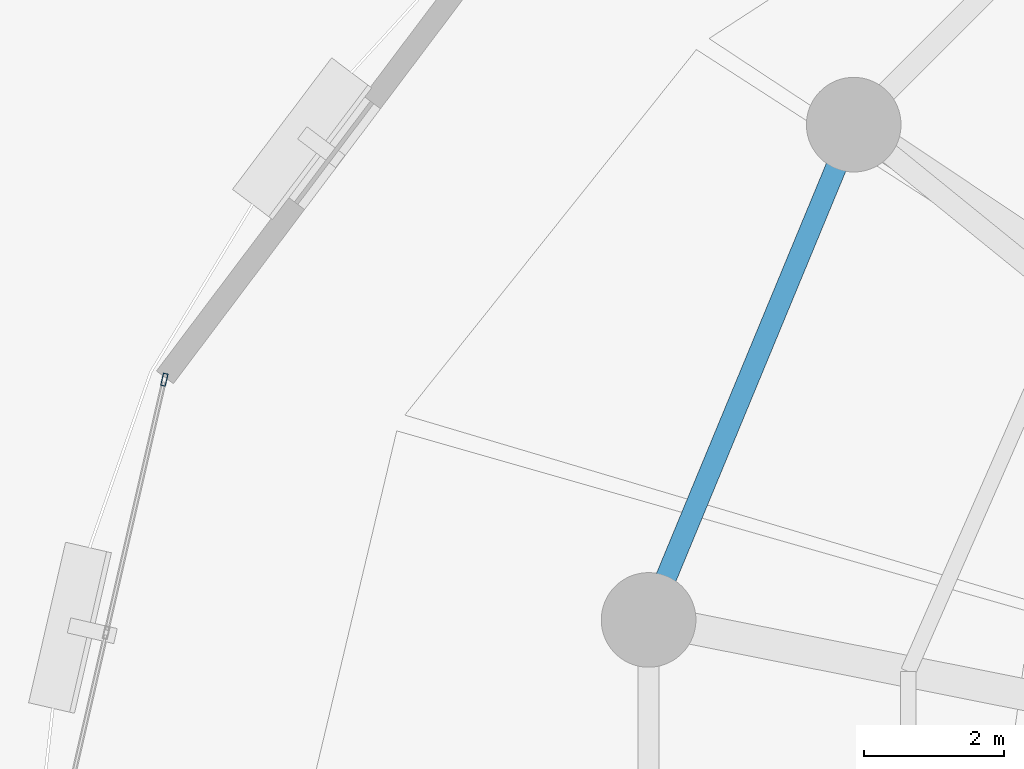
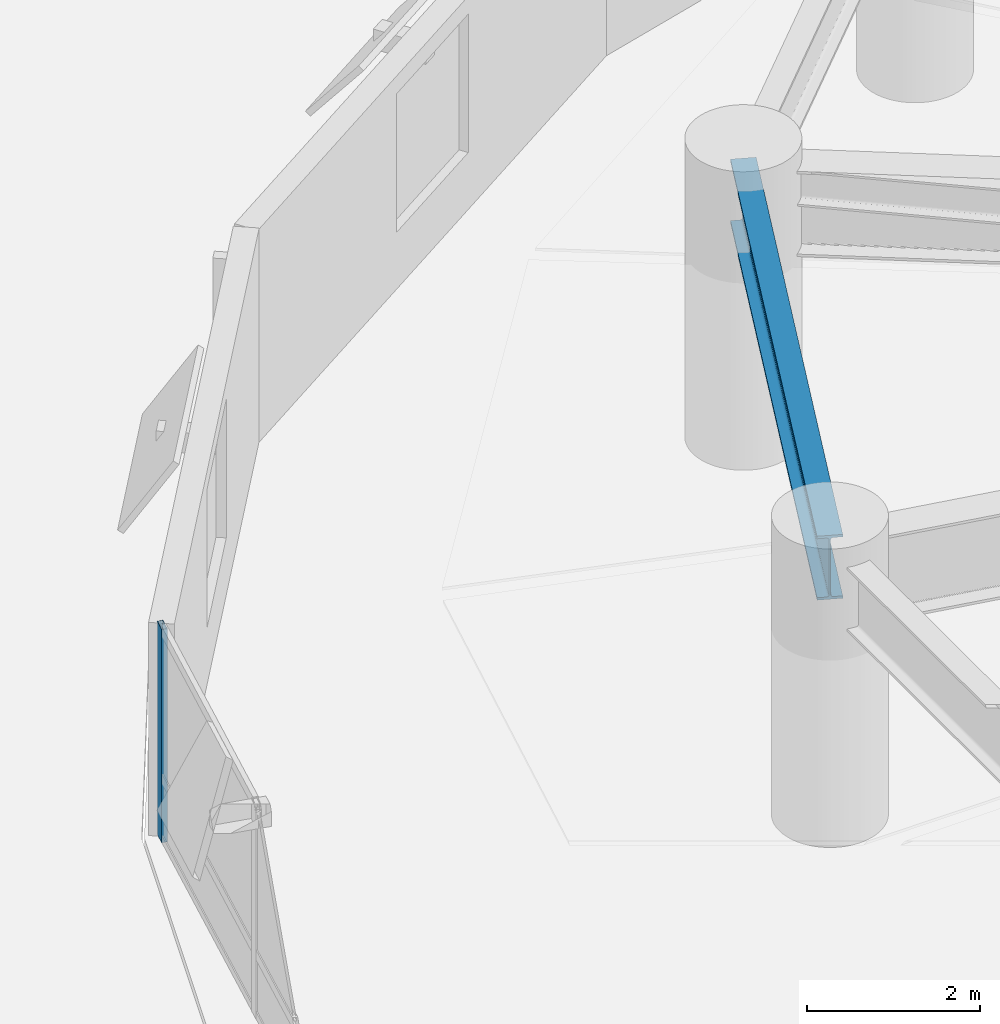
# One storey, part 5 of 15: 1 beam, 1 member, 1 element without a shape of its own.
"""IFC4 building model written with IfcOpenShell, lengths in metres."""

from ifc_helpers import new_model, si_unit, direction, frame, origin, origin_2d, place, context, subcontext, project, spatial, hollow_rectangle, i_section, extrude, material, layer, layer_set, material_profile, profile_set, type_object, element, aggregate, save


model = new_model("IFC4")

# Units and contexts
model_context = context("Model", 3, precision=1e-05, world=origin(), true_north=direction((0.0, 1.0)))
body_context = subcontext(model_context, "Body", "Model", "MODEL_VIEW")
ifc_project = project(units=[si_unit("LENGTHUNIT", "METRE"), si_unit("AREAUNIT", "SQUARE_METRE"), si_unit("VOLUMEUNIT", "CUBIC_METRE"), si_unit("PLANEANGLEUNIT", "RADIAN"), si_unit("MASSUNIT", "GRAM", prefix="KILO"), si_unit("THERMODYNAMICTEMPERATUREUNIT", "KELVIN"), si_unit("POWERUNIT", "WATT")], contexts=[model_context])

# Site, building, storey
site_placement = place(None, origin())
site = spatial("IfcSite", under=ifc_project, at=site_placement, CompositionType="ELEMENT")
building_placement = place(site_placement, origin())
building = spatial("IfcBuilding", under=site, at=building_placement, Name="Ocrelia Relay Tower", CompositionType="ELEMENT")
storey_placement = place(building_placement, frame((0.0, 0.0, 30.0)))
storey = spatial("IfcBuildingStorey", under=building, at=storey_placement, Name="L06", CompositionType="ELEMENT", Elevation=30.0)

# Beam
ifc_material_1 = material(Name="Steel S355", Category="steel")
ifc_material_profile_1 = material_profile(ifc_material_1, i_section(OverallWidth=0.300048828125, OverallDepth=0.89990234375, WebThickness=0.0185546875, FlangeThickness=0.034912109375, FilletRadius=0.030029296875, at=origin_2d()), Name="HEB 900")
ifc_profile_set_1 = profile_set([ifc_material_profile_1], Name="Steel S355")
beam_type = type_object("IfcBeamType", Name="BM-HEB900", PredefinedType="BEAM", material=ifc_profile_set_1)
beam_placement = place(storey_placement, frame((17.703125, 36.88916015625, 3.469970703125), z_axis=(-0.382674154222, -0.923883375589, 0.0), x_axis=(0.923883375589, -0.382674154222, 0.0)))
element("IfcBeam", 1, at=beam_placement, inside=storey, type_object=beam_type, Name="L06 Perimeter Spandrel Beam S07", PredefinedType="BEAM", context=body_context, shape_type="SweptSolid", body=[
    extrude(i_section(OverallWidth=0.300048828125, OverallDepth=0.89990234375, WebThickness=0.0185546875, FlangeThickness=0.034912109375, FilletRadius=0.030029296875, at=origin_2d()), origin(), (0.0, 0.0, 1.0), 7.6474609375),
])

# Curtain wall, member
ifc_material_2 = material(Name="Aluminium and solar-control low-E glass", Category="aluminium")
ifc_layer = layer(ifc_material_2, 0.179931640625, Name="Aluminium and solar-control low-E glass")
ifc_layer_set = layer_set([ifc_layer], Name="Aluminium and solar-control low-E glass")
curtain_wall_type = type_object("IfcCurtainWallType", Name="CW-SYS-Z1-DATA", PredefinedType="NOTDEFINED", material=ifc_layer_set)
curtain_wall_placement = place(storey_placement, origin())
curtain_wall = element("IfcCurtainWall", 2, at=curtain_wall_placement, inside=storey, type_object=curtain_wall_type, Name="L06 Elliptical Tower Curtain Wall Bay 09", PredefinedType="NOTDEFINED")
ifc_material_3 = material(Name="Anodised bronze aluminium", Category="aluminium")
ifc_material_profile_2 = material_profile(ifc_material_3, hollow_rectangle(XDim=0.070068359375, YDim=0.179931640625, WallThickness=0.006103515625, at=origin_2d()), Name="CW-MUL-180x70")
ifc_profile_set_2 = profile_set([ifc_material_profile_2], Name="Anodised bronze aluminium")
member_type = type_object("IfcMemberType", Name="CW-SYS-Z1-DATA-MUL", PredefinedType="MULLION", material=ifc_profile_set_2)
member_placement = place(storey_placement, frame((7.86865234375, 33.2509765625, 0.0), z_axis=(0.0, 0.0, 1.0), x_axis=(0.974527418542, -0.224268389459, 0.0)))
member = element("IfcMember", 3, at=member_placement, type_object=member_type, Name="CW-Z1 mullion 1", PredefinedType="MULLION", context=body_context, shape_type="SweptSolid", body=[
    extrude(hollow_rectangle(XDim=0.070068359375, YDim=0.179931640625, WallThickness=0.006103515625, at=origin_2d()), origin(), (0.0, 0.0, 1.0), 3.0),
])
aggregate(curtain_wall, [member])

save(model, "model.ifc")
